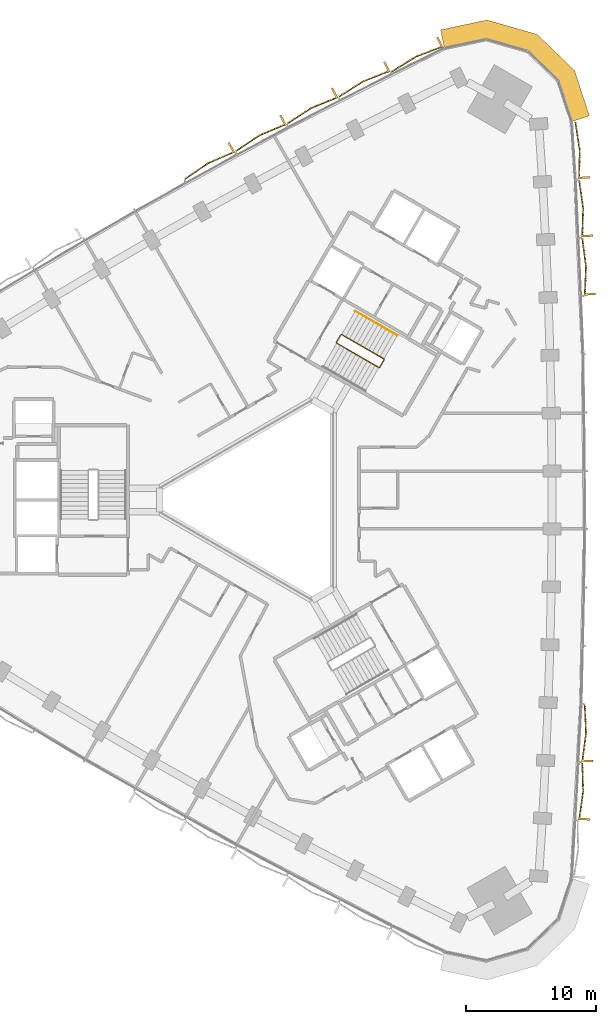
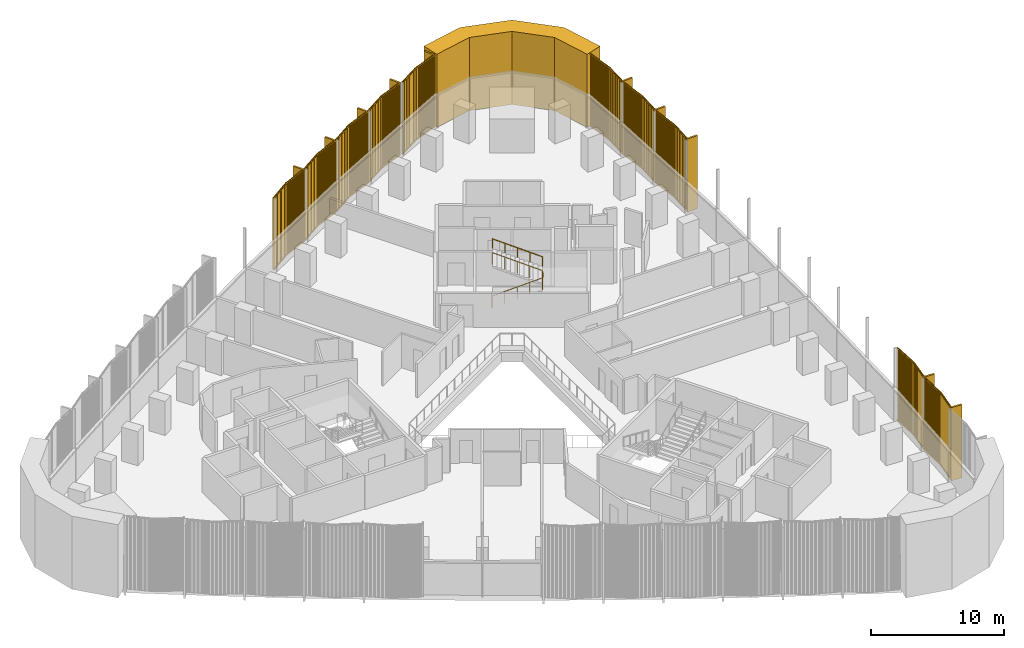
# One storey, part 16 of 16: 11 coverings, 2 railings.
"""IFC4 building model written with IfcOpenShell, lengths in metres."""

from ifc_helpers import new_model, si_unit, direction, frame, frame_2d, origin, origin_2d, place, context, subcontext, project, spatial, polyline, rectangle, circle, outline, extrude, source, transform, mapped, material, layer, layer_set, type_object, element, save


model = new_model("IFC4")

# Units and contexts
model_context = context("Model", 3, precision=1e-05, world=origin(), true_north=direction((0.0, 1.0)))
body_context = subcontext(model_context, "Body", "Model", "MODEL_VIEW")
ifc_project = project(units=[si_unit("LENGTHUNIT", "METRE"), si_unit("AREAUNIT", "SQUARE_METRE"), si_unit("VOLUMEUNIT", "CUBIC_METRE"), si_unit("PLANEANGLEUNIT", "RADIAN"), si_unit("MASSUNIT", "GRAM", prefix="KILO")], contexts=[model_context])

# Site, building, storey
site_placement = place(None, origin())
site = spatial("IfcSite", under=ifc_project, at=site_placement, CompositionType="ELEMENT")
building_placement = place(site_placement, origin())
building = spatial("IfcBuilding", under=site, at=building_placement, Name="Tamra Quay Hotel Tower", CompositionType="ELEMENT")
storey_placement = place(building_placement, frame((0.0, 0.0, 56.60009765625)))
storey = spatial("IfcBuildingStorey", under=building, at=storey_placement, Name="L12", CompositionType="ELEMENT", Elevation=56.60009765625)

# Covering
ifc_material_1 = material(Name="Precast concrete M60 terracotta-coloured", Category="masonry")
ifc_layer = layer(ifc_material_1, 1.449951171875)
ifc_layer_set = layer_set([ifc_layer], Name="CORNER PIER PANEL")
covering_type_1 = type_object("IfcCoveringType", Name="CORNER PIER PANEL", PredefinedType="CLADDING", material=ifc_layer_set)
covering_placement = place(storey_placement, origin())
element("IfcCovering", 1, at=covering_placement, inside=storey, type_object=covering_type_1, Name="Corner pier L12.east", PredefinedType="CLADDING", context=body_context, shape_type="SweptSolid", body=[
    extrude(outline(polyline([(23.40869140625, 29.210693359375), (24.78759765625, 29.658935546875), (23.65380859375, 33.148193359375), (20.75439453125, 35.947998046875), (16.88037109375, 37.058837890625), (13.29150390625, 36.296142578125), (13.593017578125, 34.877685546875), (16.828125, 35.5654296875), (20.00732421875, 34.65380859375), (22.386474609375, 32.356201171875), (23.40869140625, 29.210693359375)])), origin(), (0.0, 0.0, 1.0), 6.724853515625),
])

# Railings
ifc_material_2 = material(Name="Stair guard 1100")
railing_type_1 = type_object("IfcRailingType", Name="Stair guard 1100", PredefinedType="GUARDRAIL", material=ifc_material_2)
railing_1_placement = place(storey_placement, frame((5.595458984375, 12.751953125, 0.0)))
element("IfcRailing", 2, at=railing_1_placement, inside=storey, type_object=railing_type_1, Name="GR", PredefinedType="GUARDRAIL", context=body_context, shape_type="SweptSolid", body=[
    extrude(circle(Radius=0.02392578125, at=origin_2d()), frame((0.0, 0.0, 1.076171875), z_axis=(-0.499765215335, -0.866160914346, 0.0), x_axis=(0.866160914346, -0.499765215335, 0.0)), (0.0, 0.0, 1.0), 0.658935546875),
    extrude(circle(Radius=0.02392578125, at=origin_2d()), frame((-0.329345703125, -0.57080078125, 1.076171875), z_axis=(0.110525977783, -0.411156637351, 0.904839338113), x_axis=(0.965715946433, 0.259601060869, 0.0)), (0.0, 0.0, 1.0), 0.165771484375),
    extrude(circle(Radius=0.02392578125, at=origin_2d()), frame((-0.31103515625, -0.638916015625, 1.22607421875), z_axis=(0.793078462799, -0.457933869594, 0.401650498471), x_axis=(0.500040788363, 0.866001853331, 0.0)), (0.0, 0.0, 1.0), 4.10791015625),
    extrude(circle(Radius=0.02392578125, at=origin_2d()), frame((2.94677734375, -2.52001953125, 2.8759765625), z_axis=(0.965948051503, 0.258736085224, 0.0), x_axis=(-0.258736085224, 0.965948051503, 0.0)), (0.0, 0.0, 1.0), 0.07080078125),
    extrude(circle(Radius=0.02392578125, at=origin_2d()), frame((3.01513671875, -2.501708984375, 2.8759765625), z_axis=(0.500043078269, 0.866000531106, 0.0), x_axis=(-0.866000531106, 0.500043078269, 0.0)), (0.0, 0.0, 1.0), 0.6591796875),
    extrude(circle(Radius=0.02392578125, at=origin_2d()), frame((3.3447265625, -1.930908203125, 2.8759765625), z_axis=(-0.110378772244, 0.410609032747, 0.905105932399), x_axis=(-0.965715946433, -0.259601060869, 0.0)), (0.0, 0.0, 1.0), 0.165771484375),
    extrude(circle(Radius=0.02392578125, at=origin_2d()), frame((3.326416015625, -1.86279296875, 3.02587890625), z_axis=(-0.793100512587, 0.457912285461, 0.401631567183), x_axis=(-0.500012686397, -0.866018079166, 0.0)), (0.0, 0.0, 1.0), 4.10791015625),
    extrude(circle(Radius=0.02099609375, at=origin_2d()), origin(), (0.0, 0.0, 1.0), 1.052001953125),
    extrude(circle(Radius=0.02099609375, at=origin_2d()), frame((-0.329345703125, -0.57080078125, 0.0)), (0.0, 0.0, 1.0), 1.052001953125),
    extrude(circle(Radius=0.02099609375, at=origin_2d()), frame((-0.31103515625, -0.638916015625, 0.14990234375)), (0.0, 0.0, 1.0), 1.052001953125),
    extrude(circle(Radius=0.02099609375, at=origin_2d()), frame((0.50341796875, -1.109130859375, 0.5625)), (0.0, 0.0, 1.0), 1.052001953125),
    extrude(circle(Radius=0.02099609375, at=origin_2d()), frame((1.31787109375, -1.57958984375, 0.974853515625)), (0.0, 0.0, 1.0), 1.052001953125),
    extrude(circle(Radius=0.02099609375, at=origin_2d()), frame((2.13232421875, -2.0498046875, 1.38720703125)), (0.0, 0.0, 1.0), 1.052001953125),
    extrude(circle(Radius=0.02099609375, at=origin_2d()), frame((2.94677734375, -2.52001953125, 1.7998046875)), (0.0, 0.0, 1.0), 1.052001953125),
    extrude(circle(Radius=0.02099609375, at=origin_2d()), frame((3.01513671875, -2.501708984375, 1.7998046875)), (0.0, 0.0, 1.0), 1.052001953125),
    extrude(circle(Radius=0.02099609375, at=origin_2d()), frame((3.3447265625, -1.930908203125, 1.7998046875)), (0.0, 0.0, 1.0), 1.052001953125),
    extrude(circle(Radius=0.02099609375, at=origin_2d()), frame((3.326416015625, -1.86279296875, 1.949951171875)), (0.0, 0.0, 1.0), 1.052001953125),
    extrude(circle(Radius=0.02099609375, at=origin_2d()), frame((2.511962890625, -1.392578125, 2.3623046875)), (0.0, 0.0, 1.0), 1.052001953125),
    extrude(circle(Radius=0.02099609375, at=origin_2d()), frame((1.697265625, -0.92236328125, 2.77490234375)), (0.0, 0.0, 1.0), 1.052001953125),
    extrude(circle(Radius=0.02099609375, at=origin_2d()), frame((0.8828125, -0.451904296875, 3.1875)), (0.0, 0.0, 1.0), 1.052001953125),
    extrude(circle(Radius=0.02099609375, at=origin_2d()), frame((0.068359375, 0.018310546875, 3.599853515625)), (0.0, 0.0, 1.0), 1.052001953125),
])
ifc_material_3 = material(Name="Stair handrail 900")
railing_type_2 = type_object("IfcRailingType", Name="Stair handrail 900", PredefinedType="HANDRAIL", material=ifc_material_3)
railing_2_placement = place(storey_placement, frame((9.971923828125, 12.7080078125, 1.949951171875)))
element("IfcRailing", 3, at=railing_2_placement, inside=storey, type_object=railing_type_2, Name="HR", PredefinedType="HANDRAIL", context=body_context, shape_type="SweptSolid", body=[
    extrude(circle(Radius=0.02392578125, at=origin_2d()), frame((0.0, 0.0, 0.8759765625), z_axis=(-0.793122095483, 0.45786531462, 0.401642496911), x_axis=(-0.499964013922, -0.86604617936, 0.0)), (0.0, 0.0, 1.0), 4.10791015625),
    extrude(circle(Radius=0.02099609375, at=origin_2d()), origin(), (0.0, 0.0, 1.0), 0.851806640625),
    extrude(circle(Radius=0.02099609375, at=origin_2d()), frame((-0.814453125, 0.47021484375, 0.41259765625)), (0.0, 0.0, 1.0), 0.851806640625),
    extrude(circle(Radius=0.02099609375, at=origin_2d()), frame((-1.62890625, 0.9404296875, 0.824951171875)), (0.0, 0.0, 1.0), 0.851806640625),
    extrude(circle(Radius=0.02099609375, at=origin_2d()), frame((-2.443603515625, 1.41064453125, 1.2373046875)), (0.0, 0.0, 1.0), 0.851806640625),
    extrude(circle(Radius=0.02099609375, at=origin_2d()), frame((-3.258056640625, 1.880859375, 1.64990234375)), (0.0, 0.0, 1.0), 0.851806640625),
])

# Coverings
ifc_material_4 = material(Name="Terracotta baguette extruded", Category="masonry")
covering_type_2 = type_object("IfcCoveringType", Name="BAGUETTE SCREEN E-V H6725", PredefinedType="USERDEFINED", material=ifc_material_4)
shared_shape_1 = source(origin(), body_context, "Body", "SweptSolid", [
    extrude(rectangle(XDim=2.2109375, YDim=0.06005859375, at=frame_2d((1.10546875, 0.030029296875))), frame((-2.207763671875, -0.057861328125, -0.1201171875), z_axis=(0.0, 0.0, 1.0), x_axis=(0.996194698092, -0.087155742748, 0.0)), (0.0, 0.0, 1.0), 0.1201171875),
    extrude(rectangle(XDim=2.2109375, YDim=0.06005859375, at=frame_2d((1.10546875, 0.030029296875))), frame((-2.207763671875, -0.057861328125, -6.72509765625), z_axis=(0.0, 0.0, 1.0), x_axis=(0.996194698092, -0.087155742748, 0.0)), (0.0, 0.0, 1.0), 0.1201171875),
    extrude(rectangle(XDim=0.070068359375, YDim=0.10009765625, at=frame_2d((0.03515625, 0.050048828125))), frame((-2.1875, -0.13232421875, -6.6650390625)), (0.0, 0.0, 1.0), 6.60498046875),
    extrude(rectangle(XDim=0.070068359375, YDim=0.10009765625, at=frame_2d((0.03515625, 0.050048828125))), frame((-2.08740234375, -0.14111328125, -6.6650390625)), (0.0, 0.0, 1.0), 6.60498046875),
    extrude(rectangle(XDim=0.070068359375, YDim=0.10009765625, at=frame_2d((0.03515625, 0.050048828125))), frame((-1.9873046875, -0.14990234375, -6.6650390625)), (0.0, 0.0, 1.0), 6.60498046875),
    extrude(rectangle(XDim=0.070068359375, YDim=0.10009765625, at=frame_2d((0.03515625, 0.050048828125))), frame((-1.88720703125, -0.15869140625, -6.6650390625)), (0.0, 0.0, 1.0), 6.60498046875),
    extrude(rectangle(XDim=0.070068359375, YDim=0.10009765625, at=frame_2d((0.03515625, 0.050048828125))), frame((-1.787109375, -0.16748046875, -6.6650390625)), (0.0, 0.0, 1.0), 6.60498046875),
    extrude(rectangle(XDim=0.070068359375, YDim=0.10009765625, at=frame_2d((0.03515625, 0.050048828125))), frame((-1.686767578125, -0.17626953125, -6.6650390625)), (0.0, 0.0, 1.0), 6.60498046875),
    extrude(rectangle(XDim=0.070068359375, YDim=0.10009765625, at=frame_2d((0.03515625, 0.050048828125))), frame((-1.586669921875, -0.184814453125, -6.6650390625)), (0.0, 0.0, 1.0), 6.60498046875),
    extrude(rectangle(XDim=0.070068359375, YDim=0.10009765625, at=frame_2d((0.03515625, 0.050048828125))), frame((-1.486572265625, -0.193603515625, -6.6650390625)), (0.0, 0.0, 1.0), 6.60498046875),
    extrude(rectangle(XDim=0.070068359375, YDim=0.10009765625, at=frame_2d((0.03515625, 0.050048828125))), frame((-1.386474609375, -0.202392578125, -6.6650390625)), (0.0, 0.0, 1.0), 6.60498046875),
    extrude(rectangle(XDim=0.070068359375, YDim=0.10009765625, at=frame_2d((0.03515625, 0.050048828125))), frame((-1.286376953125, -0.211181640625, -6.6650390625)), (0.0, 0.0, 1.0), 6.60498046875),
    extrude(rectangle(XDim=0.070068359375, YDim=0.10009765625, at=frame_2d((0.03515625, 0.050048828125))), frame((-1.186279296875, -0.219970703125, -6.6650390625)), (0.0, 0.0, 1.0), 6.60498046875),
    extrude(rectangle(XDim=0.070068359375, YDim=0.10009765625, at=frame_2d((0.03515625, 0.050048828125))), frame((-1.086181640625, -0.228759765625, -6.6650390625)), (0.0, 0.0, 1.0), 6.60498046875),
    extrude(rectangle(XDim=0.070068359375, YDim=0.10009765625, at=frame_2d((0.03515625, 0.050048828125))), frame((-0.986083984375, -0.237548828125, -6.6650390625)), (0.0, 0.0, 1.0), 6.60498046875),
    extrude(rectangle(XDim=0.070068359375, YDim=0.10009765625, at=frame_2d((0.03515625, 0.050048828125))), frame((-0.885986328125, -0.246337890625, -6.6650390625)), (0.0, 0.0, 1.0), 6.60498046875),
    extrude(rectangle(XDim=0.070068359375, YDim=0.10009765625, at=frame_2d((0.03515625, 0.050048828125))), frame((-0.785888671875, -0.2548828125, -6.6650390625)), (0.0, 0.0, 1.0), 6.60498046875),
    extrude(rectangle(XDim=0.070068359375, YDim=0.10009765625, at=frame_2d((0.03515625, 0.050048828125))), frame((-0.685791015625, -0.263671875, -6.6650390625)), (0.0, 0.0, 1.0), 6.60498046875),
    extrude(rectangle(XDim=0.070068359375, YDim=0.10009765625, at=frame_2d((0.03515625, 0.050048828125))), frame((-0.585693359375, -0.2724609375, -6.6650390625)), (0.0, 0.0, 1.0), 6.60498046875),
    extrude(rectangle(XDim=0.070068359375, YDim=0.10009765625, at=frame_2d((0.03515625, 0.050048828125))), frame((-0.485595703125, -0.28125, -6.6650390625)), (0.0, 0.0, 1.0), 6.60498046875),
    extrude(rectangle(XDim=0.070068359375, YDim=0.10009765625, at=frame_2d((0.03515625, 0.050048828125))), frame((-0.385498046875, -0.2900390625, -6.6650390625)), (0.0, 0.0, 1.0), 6.60498046875),
    extrude(rectangle(XDim=0.070068359375, YDim=0.10009765625, at=frame_2d((0.03515625, 0.050048828125))), frame((-0.285400390625, -0.298828125, -6.6650390625)), (0.0, 0.0, 1.0), 6.60498046875),
    extrude(rectangle(XDim=0.070068359375, YDim=0.10009765625, at=frame_2d((0.03515625, 0.050048828125))), frame((-0.18505859375, -0.3076171875, -6.6650390625)), (0.0, 0.0, 1.0), 6.60498046875),
    extrude(rectangle(XDim=0.070068359375, YDim=0.10009765625, at=frame_2d((0.03515625, 0.050048828125))), frame((-0.0849609375, -0.31640625, -6.6650390625)), (0.0, 0.0, 1.0), 6.60498046875),
    extrude(rectangle(XDim=2.2109375, YDim=0.06005859375, at=frame_2d((1.10546875, 0.030029296875))), frame((0.005126953125, -0.25048828125, -0.1201171875), z_axis=(0.0, 0.0, 1.0), x_axis=(0.996194698092, 0.087155742748, 0.0)), (0.0, 0.0, 1.0), 0.1201171875),
    extrude(rectangle(XDim=2.2109375, YDim=0.06005859375, at=frame_2d((1.10546875, 0.030029296875))), frame((0.005126953125, -0.25048828125, -6.72509765625), z_axis=(0.0, 0.0, 1.0), x_axis=(0.996194698092, 0.087155742748, 0.0)), (0.0, 0.0, 1.0), 0.1201171875),
    extrude(rectangle(XDim=0.070068359375, YDim=0.10009765625, at=frame_2d((0.03515625, 0.050048828125))), frame((0.01513671875, -0.31640625, -6.6650390625)), (0.0, 0.0, 1.0), 6.60498046875),
    extrude(rectangle(XDim=0.070068359375, YDim=0.10009765625, at=frame_2d((0.03515625, 0.050048828125))), frame((0.115234375, -0.3076171875, -6.6650390625)), (0.0, 0.0, 1.0), 6.60498046875),
    extrude(rectangle(XDim=0.070068359375, YDim=0.10009765625, at=frame_2d((0.03515625, 0.050048828125))), frame((0.21533203125, -0.298828125, -6.6650390625)), (0.0, 0.0, 1.0), 6.60498046875),
    extrude(rectangle(XDim=0.070068359375, YDim=0.10009765625, at=frame_2d((0.03515625, 0.050048828125))), frame((0.3154296875, -0.2900390625, -6.6650390625)), (0.0, 0.0, 1.0), 6.60498046875),
    extrude(rectangle(XDim=0.070068359375, YDim=0.10009765625, at=frame_2d((0.03515625, 0.050048828125))), frame((0.41552734375, -0.28125, -6.6650390625)), (0.0, 0.0, 1.0), 6.60498046875),
    extrude(rectangle(XDim=0.070068359375, YDim=0.10009765625, at=frame_2d((0.03515625, 0.050048828125))), frame((0.515625, -0.2724609375, -6.6650390625)), (0.0, 0.0, 1.0), 6.60498046875),
    extrude(rectangle(XDim=0.070068359375, YDim=0.10009765625, at=frame_2d((0.03515625, 0.050048828125))), frame((0.61572265625, -0.263671875, -6.6650390625)), (0.0, 0.0, 1.0), 6.60498046875),
    extrude(rectangle(XDim=0.070068359375, YDim=0.10009765625, at=frame_2d((0.03515625, 0.050048828125))), frame((0.7158203125, -0.2548828125, -6.6650390625)), (0.0, 0.0, 1.0), 6.60498046875),
    extrude(rectangle(XDim=0.070068359375, YDim=0.10009765625, at=frame_2d((0.03515625, 0.050048828125))), frame((0.81591796875, -0.246337890625, -6.6650390625)), (0.0, 0.0, 1.0), 6.60498046875),
    extrude(rectangle(XDim=0.070068359375, YDim=0.10009765625, at=frame_2d((0.03515625, 0.050048828125))), frame((0.916015625, -0.237548828125, -6.6650390625)), (0.0, 0.0, 1.0), 6.60498046875),
    extrude(rectangle(XDim=0.070068359375, YDim=0.10009765625, at=frame_2d((0.03515625, 0.050048828125))), frame((1.01611328125, -0.228759765625, -6.6650390625)), (0.0, 0.0, 1.0), 6.60498046875),
    extrude(rectangle(XDim=0.070068359375, YDim=0.10009765625, at=frame_2d((0.03515625, 0.050048828125))), frame((1.1162109375, -0.219970703125, -6.6650390625)), (0.0, 0.0, 1.0), 6.60498046875),
    extrude(rectangle(XDim=0.070068359375, YDim=0.10009765625, at=frame_2d((0.03515625, 0.050048828125))), frame((1.21630859375, -0.211181640625, -6.6650390625)), (0.0, 0.0, 1.0), 6.60498046875),
    extrude(rectangle(XDim=0.070068359375, YDim=0.10009765625, at=frame_2d((0.03515625, 0.050048828125))), frame((1.316650390625, -0.202392578125, -6.6650390625)), (0.0, 0.0, 1.0), 6.60498046875),
    extrude(rectangle(XDim=0.070068359375, YDim=0.10009765625, at=frame_2d((0.03515625, 0.050048828125))), frame((1.416748046875, -0.193603515625, -6.6650390625)), (0.0, 0.0, 1.0), 6.60498046875),
    extrude(rectangle(XDim=0.070068359375, YDim=0.10009765625, at=frame_2d((0.03515625, 0.050048828125))), frame((1.516845703125, -0.184814453125, -6.6650390625)), (0.0, 0.0, 1.0), 6.60498046875),
    extrude(rectangle(XDim=0.070068359375, YDim=0.10009765625, at=frame_2d((0.03515625, 0.050048828125))), frame((1.616943359375, -0.17626953125, -6.6650390625)), (0.0, 0.0, 1.0), 6.60498046875),
    extrude(rectangle(XDim=0.070068359375, YDim=0.10009765625, at=frame_2d((0.03515625, 0.050048828125))), frame((1.717041015625, -0.16748046875, -6.6650390625)), (0.0, 0.0, 1.0), 6.60498046875),
    extrude(rectangle(XDim=0.070068359375, YDim=0.10009765625, at=frame_2d((0.03515625, 0.050048828125))), frame((1.817138671875, -0.15869140625, -6.6650390625)), (0.0, 0.0, 1.0), 6.60498046875),
    extrude(rectangle(XDim=0.070068359375, YDim=0.10009765625, at=frame_2d((0.03515625, 0.050048828125))), frame((1.917236328125, -0.14990234375, -6.6650390625)), (0.0, 0.0, 1.0), 6.60498046875),
    extrude(rectangle(XDim=0.070068359375, YDim=0.10009765625, at=frame_2d((0.03515625, 0.050048828125))), frame((2.017333984375, -0.14111328125, -6.6650390625)), (0.0, 0.0, 1.0), 6.60498046875),
    extrude(rectangle(XDim=0.070068359375, YDim=0.10009765625, at=frame_2d((0.03515625, 0.050048828125))), frame((2.117431640625, -0.13232421875, -6.6650390625)), (0.0, 0.0, 1.0), 6.60498046875),
    extrude(rectangle(XDim=0.14990234375, YDim=0.902099609375, at=frame_2d((0.074951171875, 0.451171875))), frame((-2.202392578125, -0.89990234375, -6.72509765625)), (0.0, 0.0, 1.0), 6.72509765625),
])
for number, where, z_axis, x_axis, name in (
    (4, (24.059326171875, -22.490478515625, 6.724853515625), (0.0, 0.0, 1.0), (0.054062119595, 0.998537574268, 0.0), "Baguette screen L12.E.f01"),
    (5, (24.2783203125, -17.995361328125, 6.724853515625), (0.0, 0.0, 1.0), (0.043285462035, 0.999062745165, 0.0), "Baguette screen L12.E.f02"),
    (6, (24.2783203125, 17.995361328125, 6.724853515625), (0.0, 0.0, 1.0), (-0.043285462035, 0.999062745165, 0.0), "Baguette screen L12.E.f10"),
    (7, (24.059326171875, 22.490478515625, 6.724853515625), (0.0, 0.0, 1.0), (-0.054062119595, 0.998537574268, 0.0), "Baguette screen L12.E.f11"),
    (8, (23.791748046875, 26.982666015625, 6.724853515625), (0.0, 0.0, 1.0), (-0.064813097616, 0.997897420769, 0.0), "Baguette screen L12.E.f12"),
):
    element("IfcCovering", number, at=place(storey_placement, frame(where, z_axis=z_axis, x_axis=x_axis)), inside=storey, type_object=covering_type_2, Name=name, ObjectType="BAGUETTE SCREEN", PredefinedType="USERDEFINED", context=body_context, shape_type="MappedRepresentation", body=[
        mapped(shared_shape_1, transform((0.0, 0.0, 0.0), scale=1.0)),
    ])
covering_type_3 = type_object("IfcCoveringType", Name="BAGUETTE SCREEN NW-V H6725", PredefinedType="USERDEFINED", material=ifc_material_4)
shared_shape_2 = source(origin(), body_context, "Body", "SweptSolid", [
    extrude(rectangle(XDim=2.212646484375, YDim=0.06005859375, at=frame_2d((1.1064453125, 0.030029296875))), frame((-2.208251953125, -0.0576171875, -0.1201171875), z_axis=(0.0, 0.0, 1.0), x_axis=(0.995396198367, -0.09584575252, 0.0)), (0.0, 0.0, 1.0), 0.1201171875),
    extrude(rectangle(XDim=2.212646484375, YDim=0.06005859375, at=frame_2d((1.1064453125, 0.030029296875))), frame((-2.208251953125, -0.0576171875, -6.72509765625), z_axis=(0.0, 0.0, 1.0), x_axis=(0.995396198367, -0.09584575252, 0.0)), (0.0, 0.0, 1.0), 0.1201171875),
    extrude(rectangle(XDim=0.070068359375, YDim=0.10009765625, at=frame_2d((0.03515625, 0.050048828125))), frame((-2.1875, -0.1328125, -6.6650390625)), (0.0, 0.0, 1.0), 6.60498046875),
    extrude(rectangle(XDim=0.070068359375, YDim=0.10009765625, at=frame_2d((0.03515625, 0.050048828125))), frame((-2.08740234375, -0.142578125, -6.6650390625)), (0.0, 0.0, 1.0), 6.60498046875),
    extrude(rectangle(XDim=0.070068359375, YDim=0.10009765625, at=frame_2d((0.03515625, 0.050048828125))), frame((-1.9873046875, -0.152099609375, -6.6650390625)), (0.0, 0.0, 1.0), 6.60498046875),
    extrude(rectangle(XDim=0.070068359375, YDim=0.10009765625, at=frame_2d((0.03515625, 0.050048828125))), frame((-1.88720703125, -0.16162109375, -6.6650390625)), (0.0, 0.0, 1.0), 6.60498046875),
    extrude(rectangle(XDim=0.070068359375, YDim=0.10009765625, at=frame_2d((0.03515625, 0.050048828125))), frame((-1.787109375, -0.17138671875, -6.6650390625)), (0.0, 0.0, 1.0), 6.60498046875),
    extrude(rectangle(XDim=0.070068359375, YDim=0.10009765625, at=frame_2d((0.03515625, 0.050048828125))), frame((-1.686767578125, -0.180908203125, -6.6650390625)), (0.0, 0.0, 1.0), 6.60498046875),
    extrude(rectangle(XDim=0.070068359375, YDim=0.10009765625, at=frame_2d((0.03515625, 0.050048828125))), frame((-1.586669921875, -0.190673828125, -6.6650390625)), (0.0, 0.0, 1.0), 6.60498046875),
    extrude(rectangle(XDim=0.070068359375, YDim=0.10009765625, at=frame_2d((0.03515625, 0.050048828125))), frame((-1.486572265625, -0.2001953125, -6.6650390625)), (0.0, 0.0, 1.0), 6.60498046875),
    extrude(rectangle(XDim=0.070068359375, YDim=0.10009765625, at=frame_2d((0.03515625, 0.050048828125))), frame((-1.386474609375, -0.2099609375, -6.6650390625)), (0.0, 0.0, 1.0), 6.60498046875),
    extrude(rectangle(XDim=0.070068359375, YDim=0.10009765625, at=frame_2d((0.03515625, 0.050048828125))), frame((-1.286376953125, -0.219482421875, -6.6650390625)), (0.0, 0.0, 1.0), 6.60498046875),
    extrude(rectangle(XDim=0.070068359375, YDim=0.10009765625, at=frame_2d((0.03515625, 0.050048828125))), frame((-1.186279296875, -0.229248046875, -6.6650390625)), (0.0, 0.0, 1.0), 6.60498046875),
    extrude(rectangle(XDim=0.070068359375, YDim=0.10009765625, at=frame_2d((0.03515625, 0.050048828125))), frame((-1.086181640625, -0.23876953125, -6.6650390625)), (0.0, 0.0, 1.0), 6.60498046875),
    extrude(rectangle(XDim=0.070068359375, YDim=0.10009765625, at=frame_2d((0.03515625, 0.050048828125))), frame((-0.986083984375, -0.24853515625, -6.6650390625)), (0.0, 0.0, 1.0), 6.60498046875),
    extrude(rectangle(XDim=0.070068359375, YDim=0.10009765625, at=frame_2d((0.03515625, 0.050048828125))), frame((-0.885986328125, -0.258056640625, -6.6650390625)), (0.0, 0.0, 1.0), 6.60498046875),
    extrude(rectangle(XDim=0.070068359375, YDim=0.10009765625, at=frame_2d((0.03515625, 0.050048828125))), frame((-0.785888671875, -0.267822265625, -6.6650390625)), (0.0, 0.0, 1.0), 6.60498046875),
    extrude(rectangle(XDim=0.070068359375, YDim=0.10009765625, at=frame_2d((0.03515625, 0.050048828125))), frame((-0.685791015625, -0.27734375, -6.6650390625)), (0.0, 0.0, 1.0), 6.60498046875),
    extrude(rectangle(XDim=0.070068359375, YDim=0.10009765625, at=frame_2d((0.03515625, 0.050048828125))), frame((-0.585693359375, -0.287109375, -6.6650390625)), (0.0, 0.0, 1.0), 6.60498046875),
    extrude(rectangle(XDim=0.070068359375, YDim=0.10009765625, at=frame_2d((0.03515625, 0.050048828125))), frame((-0.485595703125, -0.296630859375, -6.6650390625)), (0.0, 0.0, 1.0), 6.60498046875),
    extrude(rectangle(XDim=0.070068359375, YDim=0.10009765625, at=frame_2d((0.03515625, 0.050048828125))), frame((-0.385498046875, -0.306396484375, -6.6650390625)), (0.0, 0.0, 1.0), 6.60498046875),
    extrude(rectangle(XDim=0.070068359375, YDim=0.10009765625, at=frame_2d((0.03515625, 0.050048828125))), frame((-0.285400390625, -0.31591796875, -6.6650390625)), (0.0, 0.0, 1.0), 6.60498046875),
    extrude(rectangle(XDim=0.070068359375, YDim=0.10009765625, at=frame_2d((0.03515625, 0.050048828125))), frame((-0.18505859375, -0.32568359375, -6.6650390625)), (0.0, 0.0, 1.0), 6.60498046875),
    extrude(rectangle(XDim=0.070068359375, YDim=0.10009765625, at=frame_2d((0.03515625, 0.050048828125))), frame((-0.0849609375, -0.335205078125, -6.6650390625)), (0.0, 0.0, 1.0), 6.60498046875),
    extrude(rectangle(XDim=2.212646484375, YDim=0.06005859375, at=frame_2d((1.1064453125, 0.030029296875))), frame((0.005859375, -0.269775390625, -0.1201171875), z_axis=(0.0, 0.0, 1.0), x_axis=(0.995396198367, 0.09584575252, 0.0)), (0.0, 0.0, 1.0), 0.1201171875),
    extrude(rectangle(XDim=2.212646484375, YDim=0.06005859375, at=frame_2d((1.1064453125, 0.030029296875))), frame((0.005859375, -0.269775390625, -6.72509765625), z_axis=(0.0, 0.0, 1.0), x_axis=(0.995396198367, 0.09584575252, 0.0)), (0.0, 0.0, 1.0), 0.1201171875),
    extrude(rectangle(XDim=0.070068359375, YDim=0.10009765625, at=frame_2d((0.03515625, 0.050048828125))), frame((0.01513671875, -0.335205078125, -6.6650390625)), (0.0, 0.0, 1.0), 6.60498046875),
    extrude(rectangle(XDim=0.070068359375, YDim=0.10009765625, at=frame_2d((0.03515625, 0.050048828125))), frame((0.115234375, -0.32568359375, -6.6650390625)), (0.0, 0.0, 1.0), 6.60498046875),
    extrude(rectangle(XDim=0.070068359375, YDim=0.10009765625, at=frame_2d((0.03515625, 0.050048828125))), frame((0.21533203125, -0.31591796875, -6.6650390625)), (0.0, 0.0, 1.0), 6.60498046875),
    extrude(rectangle(XDim=0.070068359375, YDim=0.10009765625, at=frame_2d((0.03515625, 0.050048828125))), frame((0.3154296875, -0.306396484375, -6.6650390625)), (0.0, 0.0, 1.0), 6.60498046875),
    extrude(rectangle(XDim=0.070068359375, YDim=0.10009765625, at=frame_2d((0.03515625, 0.050048828125))), frame((0.41552734375, -0.296630859375, -6.6650390625)), (0.0, 0.0, 1.0), 6.60498046875),
    extrude(rectangle(XDim=0.070068359375, YDim=0.10009765625, at=frame_2d((0.03515625, 0.050048828125))), frame((0.515625, -0.287109375, -6.6650390625)), (0.0, 0.0, 1.0), 6.60498046875),
    extrude(rectangle(XDim=0.070068359375, YDim=0.10009765625, at=frame_2d((0.03515625, 0.050048828125))), frame((0.61572265625, -0.27734375, -6.6650390625)), (0.0, 0.0, 1.0), 6.60498046875),
    extrude(rectangle(XDim=0.070068359375, YDim=0.10009765625, at=frame_2d((0.03515625, 0.050048828125))), frame((0.7158203125, -0.267822265625, -6.6650390625)), (0.0, 0.0, 1.0), 6.60498046875),
    extrude(rectangle(XDim=0.070068359375, YDim=0.10009765625, at=frame_2d((0.03515625, 0.050048828125))), frame((0.81591796875, -0.258056640625, -6.6650390625)), (0.0, 0.0, 1.0), 6.60498046875),
    extrude(rectangle(XDim=0.070068359375, YDim=0.10009765625, at=frame_2d((0.03515625, 0.050048828125))), frame((0.916015625, -0.24853515625, -6.6650390625)), (0.0, 0.0, 1.0), 6.60498046875),
    extrude(rectangle(XDim=0.070068359375, YDim=0.10009765625, at=frame_2d((0.03515625, 0.050048828125))), frame((1.01611328125, -0.23876953125, -6.6650390625)), (0.0, 0.0, 1.0), 6.60498046875),
    extrude(rectangle(XDim=0.070068359375, YDim=0.10009765625, at=frame_2d((0.03515625, 0.050048828125))), frame((1.1162109375, -0.229248046875, -6.6650390625)), (0.0, 0.0, 1.0), 6.60498046875),
    extrude(rectangle(XDim=0.070068359375, YDim=0.10009765625, at=frame_2d((0.03515625, 0.050048828125))), frame((1.21630859375, -0.219482421875, -6.6650390625)), (0.0, 0.0, 1.0), 6.60498046875),
    extrude(rectangle(XDim=0.070068359375, YDim=0.10009765625, at=frame_2d((0.03515625, 0.050048828125))), frame((1.316650390625, -0.2099609375, -6.6650390625)), (0.0, 0.0, 1.0), 6.60498046875),
    extrude(rectangle(XDim=0.070068359375, YDim=0.10009765625, at=frame_2d((0.03515625, 0.050048828125))), frame((1.416748046875, -0.2001953125, -6.6650390625)), (0.0, 0.0, 1.0), 6.60498046875),
    extrude(rectangle(XDim=0.070068359375, YDim=0.10009765625, at=frame_2d((0.03515625, 0.050048828125))), frame((1.516845703125, -0.190673828125, -6.6650390625)), (0.0, 0.0, 1.0), 6.60498046875),
    extrude(rectangle(XDim=0.070068359375, YDim=0.10009765625, at=frame_2d((0.03515625, 0.050048828125))), frame((1.616943359375, -0.180908203125, -6.6650390625)), (0.0, 0.0, 1.0), 6.60498046875),
    extrude(rectangle(XDim=0.070068359375, YDim=0.10009765625, at=frame_2d((0.03515625, 0.050048828125))), frame((1.717041015625, -0.17138671875, -6.6650390625)), (0.0, 0.0, 1.0), 6.60498046875),
    extrude(rectangle(XDim=0.070068359375, YDim=0.10009765625, at=frame_2d((0.03515625, 0.050048828125))), frame((1.817138671875, -0.16162109375, -6.6650390625)), (0.0, 0.0, 1.0), 6.60498046875),
    extrude(rectangle(XDim=0.070068359375, YDim=0.10009765625, at=frame_2d((0.03515625, 0.050048828125))), frame((1.917236328125, -0.152099609375, -6.6650390625)), (0.0, 0.0, 1.0), 6.60498046875),
    extrude(rectangle(XDim=0.070068359375, YDim=0.10009765625, at=frame_2d((0.03515625, 0.050048828125))), frame((2.017333984375, -0.142578125, -6.6650390625)), (0.0, 0.0, 1.0), 6.60498046875),
    extrude(rectangle(XDim=0.070068359375, YDim=0.10009765625, at=frame_2d((0.03515625, 0.050048828125))), frame((2.117431640625, -0.1328125, -6.6650390625)), (0.0, 0.0, 1.0), 6.60498046875),
    extrude(rectangle(XDim=0.14990234375, YDim=0.902099609375, at=frame_2d((0.074951171875, 0.451171875))), frame((-2.202392578125, -0.89990234375, -6.72509765625)), (0.0, 0.0, 1.0), 6.72509765625),
])
for number, where, z_axis, x_axis, name in (
    (9, (11.52490234375, 33.988037109375, 6.724853515625), (0.0, 0.0, 1.0), (-0.896611065565, -0.442818921351, 0.0), "Baguette screen L12.NW.f00"),
    (10, (7.44775390625, 32.081298828125, 6.724853515625), (0.0, 0.0, 1.0), (-0.891789965747, -0.452449618182, 0.0), "Baguette screen L12.NW.f01"),
    (11, (3.4453125, 30.0234375, 6.724853515625), (0.0, 0.0, 1.0), (-0.886856448305, -0.462045062846, 0.0), "Baguette screen L12.NW.f02"),
    (12, (-0.5341796875, 27.922607421875, 6.724853515625), (0.0, 0.0, 1.0), (-0.881806022199, -0.47161227636, 0.0), "Baguette screen L12.NW.f03"),
    (13, (-4.4912109375, 25.778564453125, 6.724853515625), (0.0, 0.0, 1.0), (-0.876650997922, -0.481126831347, 0.0), "Baguette screen L12.NW.f04"),
):
    element("IfcCovering", number, at=place(storey_placement, frame(where, z_axis=z_axis, x_axis=x_axis)), inside=storey, type_object=covering_type_3, Name=name, ObjectType="BAGUETTE SCREEN", PredefinedType="USERDEFINED", context=body_context, shape_type="MappedRepresentation", body=[
        mapped(shared_shape_2, transform((0.0, 0.0, 0.0), scale=1.0)),
    ])

save(model, "model.ifc")
